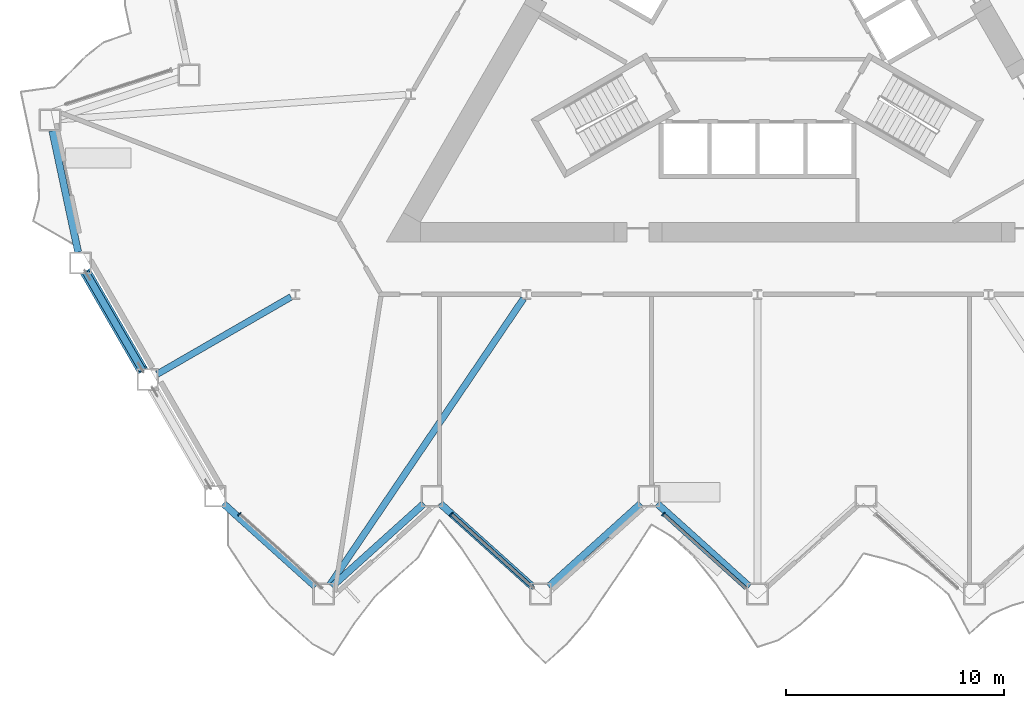
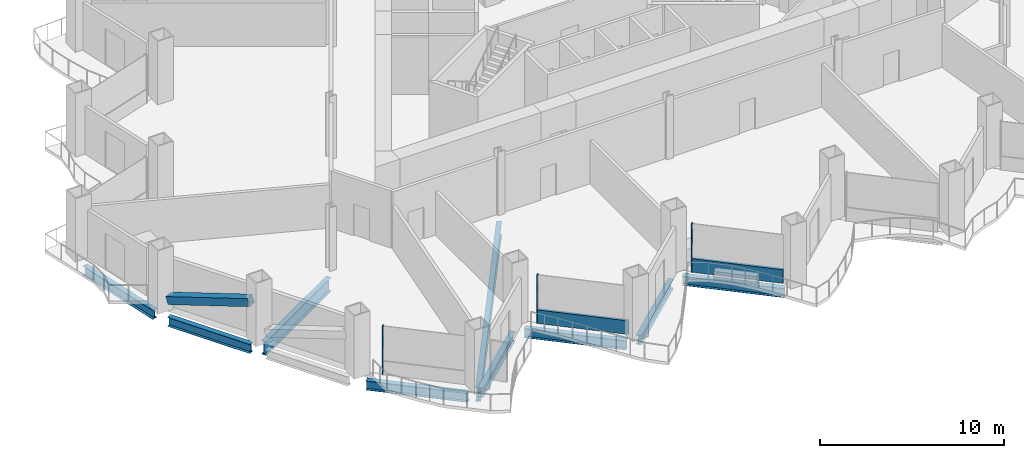
# One storey, part 2 of 21: 9 beams, 6 members, 3 elements without a shape of their own.
"""IFC4 building model written with IfcOpenShell, lengths in metres."""

from ifc_helpers import new_model, si_unit, direction, frame, origin, origin_2d, place, context, subcontext, project, spatial, rectangle, hollow_rectangle, i_section, extrude, material, layer, layer_set, material_profile, profile_set, type_object, element, aggregate, save


model = new_model("IFC4")

# Units and contexts
model_context = context("Model", 3, precision=1e-05, world=origin(), true_north=direction((0.0, 1.0)))
body_context = subcontext(model_context, "Body", "Model", "MODEL_VIEW")
ifc_project = project(units=[si_unit("LENGTHUNIT", "METRE"), si_unit("AREAUNIT", "SQUARE_METRE"), si_unit("VOLUMEUNIT", "CUBIC_METRE"), si_unit("PLANEANGLEUNIT", "RADIAN"), si_unit("MASSUNIT", "GRAM", prefix="KILO")], contexts=[model_context])

# Site, building, storey
site_placement = place(None, origin())
site = spatial("IfcSite", under=ifc_project, at=site_placement, CompositionType="ELEMENT")
building_placement = place(site_placement, origin())
building = spatial("IfcBuilding", under=site, at=building_placement, Name="Cormorant Prow Tower", CompositionType="ELEMENT")
storey_placement = place(building_placement, frame((0.0, 0.0, 42.60009765625)))
storey = spatial("IfcBuildingStorey", under=building, at=storey_placement, Name="L08", CompositionType="ELEMENT", Elevation=42.60009765625)

# Member
ifc_material_1 = material(Name="Structural steel ASTM A500 Gr C", Category="steel")
ifc_material_profile_1 = material_profile(ifc_material_1, hollow_rectangle(XDim=0.508056640625, YDim=0.508056640625, WallThickness=0.014892578125, at=origin_2d()), Name="HSS20x20x5/8")
ifc_profile_set_1 = profile_set([ifc_material_profile_1], Name="Structural steel ASTM A500 Gr C")
member_type_1 = type_object("IfcMemberType", Name="Chamfer brace HSS20x20x5/8", PredefinedType="BRACE", material=ifc_profile_set_1)
member_1_placement = place(storey_placement, frame((-30.74072265625, -11.222900390625, 0.76708984375), z_axis=(0.475875326044, -0.824258984489, 0.306822099191), x_axis=(0.866030326616, 0.499991473309, 0.0)))
element("IfcMember", 1, at=member_1_placement, inside=storey, type_object=member_type_1, Name="Chamfer brace BR1 at WSW00 L08", PredefinedType="BRACE", context=body_context, shape_type="SweptSolid", body=[
    extrude(hollow_rectangle(XDim=0.508056640625, YDim=0.508056640625, WallThickness=0.014892578125, at=origin_2d()), origin(), (0.0, 0.0, 1.0), 5.392578125),
])

# Curtain wall, member
ifc_material_2 = material(Name="Aluminium 6063-T6", Category="aluminium")
ifc_layer = layer(ifc_material_2, 0.199951171875)
ifc_layer_set = layer_set([ifc_layer], Name="Aluminium 6063-T6")
curtain_wall_type = type_object("IfcCurtainWallType", Name="Office unitised curtain wall 200", PredefinedType="NOTDEFINED", material=ifc_layer_set)
curtain_wall_1_placement = place(storey_placement, origin())
curtain_wall_1 = element("IfcCurtainWall", 2, at=curtain_wall_1_placement, inside=storey, type_object=curtain_wall_type, Name="Office curtain wall S00", PredefinedType="NOTDEFINED")
ifc_material_3 = material(Name="Aluminium 6063-T6", Category="aluminium")
ifc_material_profile_2 = material_profile(ifc_material_3, rectangle(XDim=0.199951171875, YDim=0.06005859375, at=origin_2d()), Name="Office mullion 60x200")
ifc_profile_set_2 = profile_set([ifc_material_profile_2], Name="Aluminium 6063-T6")
member_type_2 = type_object("IfcMemberType", Name="Office mullion 60x200", PredefinedType="MULLION", material=ifc_profile_set_2)
member_2_placement = place(storey_placement, frame((-23.718505859375, -22.27783203125, 0.0), z_axis=(0.0, 0.0, 1.0), x_axis=(0.66913057331, 0.743144855234, 0.0)))
member_2 = element("IfcMember", 3, at=member_2_placement, type_object=member_type_2, Name="Office mullion S00", PredefinedType="MULLION", context=body_context, shape_type="SweptSolid", body=[
    extrude(rectangle(XDim=0.199951171875, YDim=0.06005859375, at=origin_2d()), origin(), (0.0, 0.0, 1.0), 3.188720703125),
])
aggregate(curtain_wall_1, [member_2])

curtain_wall_2_placement = place(storey_placement, origin())
curtain_wall_2 = element("IfcCurtainWall", 4, at=curtain_wall_2_placement, inside=storey, type_object=curtain_wall_type, Name="Office curtain wall S02", PredefinedType="NOTDEFINED")
member_3_placement = place(storey_placement, frame((-14.01318359375, -22.27783203125, 0.0), z_axis=(0.0, 0.0, 1.0), x_axis=(0.66913057331, 0.743144855234, 0.0)))
member_3 = element("IfcMember", 5, at=member_3_placement, type_object=member_type_2, Name="Office mullion S02", PredefinedType="MULLION", context=body_context, shape_type="SweptSolid", body=[
    extrude(rectangle(XDim=0.199951171875, YDim=0.06005859375, at=origin_2d()), origin(), (0.0, 0.0, 1.0), 3.188720703125),
])

curtain_wall_3_placement = place(storey_placement, origin())
curtain_wall_3 = element("IfcCurtainWall", 6, at=curtain_wall_3_placement, inside=storey, type_object=curtain_wall_type, Name="Office curtain wall S04", PredefinedType="NOTDEFINED")
member_4_placement = place(storey_placement, frame((-4.307861328125, -22.27783203125, 0.0), z_axis=(0.0, 0.0, 1.0), x_axis=(0.66913057331, 0.743144855234, 0.0)))
member_4 = element("IfcMember", 7, at=member_4_placement, type_object=member_type_2, Name="Office mullion S04", PredefinedType="MULLION", context=body_context, shape_type="SweptSolid", body=[
    extrude(rectangle(XDim=0.199951171875, YDim=0.06005859375, at=origin_2d()), origin(), (0.0, 0.0, 1.0), 3.188720703125),
])

# Member
ifc_material_4 = material(Name="Terracotta", Category="masonry")
ifc_material_profile_3 = material_profile(ifc_material_4, rectangle(XDim=0.159912109375, YDim=0.89990234375, at=origin_2d()), Name="Office terracotta spandrel rail 160x900")
ifc_profile_set_3 = profile_set([ifc_material_profile_3], Name="Terracotta")
member_type_3 = type_object("IfcMemberType", Name="Office terracotta spandrel rail 160x900", PredefinedType="USERDEFINED", material=ifc_profile_set_3)
member_5_placement = place(storey_placement, frame((-13.990966796875, -22.2978515625, 0.449951171875), z_axis=(0.743140700473, -0.669135187612, 0.0), x_axis=(0.669135187612, 0.743140700473, 0.0)))
member_5 = element("IfcMember", 8, at=member_5_placement, type_object=member_type_3, Name="Office spandrel rail S02", ObjectType="TRANSOM", PredefinedType="USERDEFINED", context=body_context, shape_type="SweptSolid", body=[
    extrude(rectangle(XDim=0.159912109375, YDim=0.89990234375, at=origin_2d()), origin(), (0.0, 0.0, 1.0), 5.06396484375),
])

aggregate(curtain_wall_2, [member_3, member_5])

member_6_placement = place(storey_placement, frame((-4.28564453125, -22.2978515625, 0.449951171875), z_axis=(0.743140700473, -0.669135187612, 0.0), x_axis=(0.669135187612, 0.743140700473, 0.0)))
member_6 = element("IfcMember", 9, at=member_6_placement, type_object=member_type_3, Name="Office spandrel rail S04", ObjectType="TRANSOM", PredefinedType="USERDEFINED", context=body_context, shape_type="SweptSolid", body=[
    extrude(rectangle(XDim=0.159912109375, YDim=0.89990234375, at=origin_2d()), origin(), (0.0, 0.0, 1.0), 5.06396484375),
])

aggregate(curtain_wall_3, [member_4, member_6])

# Beams
ifc_material_5 = material(Name="Structural steel ASTM A992 Gr 50", Category="steel")
ifc_material_profile_4 = material_profile(ifc_material_5, i_section(OverallWidth=0.3046875, OverallDepth=0.914794921875, WebThickness=0.0166015625, FlangeThickness=0.02587890625, at=origin_2d()), Name="W36x160")
ifc_profile_set_4 = profile_set([ifc_material_profile_4], Name="Structural steel ASTM A992 Gr 50")
beam_type_1 = type_object("IfcBeamType", Name="Radial floor beam W36x160", PredefinedType="BEAM", material=ifc_profile_set_4)
beam_1_placement = place(storey_placement, frame((-21.358154296875, -12.3310546875, -0.857421875), z_axis=(-0.866014253463, -0.500019312426, 0.0), x_axis=(0.500019312426, -0.866014253463, 0.0)))
element("IfcBeam", 10, at=beam_1_placement, inside=storey, type_object=beam_type_1, Name="Radial floor beam FB1 5 L08", PredefinedType="BEAM", context=body_context, shape_type="SweptSolid", body=[
    extrude(i_section(OverallWidth=0.3046875, OverallDepth=0.914794921875, WebThickness=0.0166015625, FlangeThickness=0.02587890625, at=origin_2d()), origin(), (0.0, 0.0, 1.0), 7.071533203125),
])
beam_2_placement = place(storey_placement, frame((-10.708740234375, -12.4072265625, -0.857421875), z_axis=(-0.560597160775, -0.828088656685, 0.0), x_axis=(0.828088656685, -0.560597160775, 0.0)))
element("IfcBeam", 11, at=beam_2_placement, inside=storey, type_object=beam_type_1, Name="Radial floor beam FB1 6 L08", PredefinedType="BEAM", context=body_context, shape_type="SweptSolid", body=[
    extrude(i_section(OverallWidth=0.3046875, OverallDepth=0.914794921875, WebThickness=0.0166015625, FlangeThickness=0.02587890625, at=origin_2d()), origin(), (0.0, 0.0, 1.0), 15.831787109375),
])
ifc_material_6 = material(Name="Structural steel ASTM A992 Gr 50", Category="steel")
ifc_material_profile_5 = material_profile(ifc_material_6, i_section(OverallWidth=0.32373046875, OverallDepth=0.611083984375, WebThickness=0.0126953125, FlangeThickness=0.01904296875, at=origin_2d()), Name="W24x104")
ifc_profile_set_5 = profile_set([ifc_material_profile_5], Name="Structural steel ASTM A992 Gr 50")
beam_type_2 = type_object("IfcBeamType", Name="Spandrel beam W24x104", PredefinedType="SPANDREL", material=ifc_profile_set_5)
for number, where, z_axis, x_axis, name in (
    (12, (-24.458740234375, -21.79443359375, -0.70556640625), (0.743129630386, -0.669147481833, 0.0), (0.669147481833, 0.743129630386, 0.0), "Spandrel beam SB1 S00-S01 L08"),
    (13, (-19.49267578125, -25.596923828125, -0.70556640625), (0.743129630386, 0.669147481833, 0.0), (-0.669147481833, 0.743129630386, 0.0), "Spandrel beam SB1 S01-S02 L08"),
    (14, (-14.526611328125, -21.79443359375, -0.70556640625), (0.743129630386, -0.669147481833, 0.0), (0.669147481833, 0.743129630386, 0.0), "Spandrel beam SB1 S02-S03 L08"),
    (15, (-9.560546875, -25.596923828125, -0.70556640625), (0.743129630386, 0.669147481833, 0.0), (-0.669147481833, 0.743129630386, 0.0), "Spandrel beam SB1 S03-S04 L08"),
    (16, (-4.594482421875, -21.79443359375, -0.70556640625), (0.743129630386, -0.669147481833, 0.0), (0.669147481833, 0.743129630386, 0.0), "Spandrel beam SB1 S04-S05 L08"),
    (17, (-32.285400390625, -4.726318359375, -0.70556640625), (0.207900376723, -0.97815000555, 0.0), (0.97815000555, 0.207900376723, 0.0), "Spandrel beam SB1 WNW09-WSW00 L08"),
):
    element("IfcBeam", number, at=place(storey_placement, frame(where, z_axis=z_axis, x_axis=x_axis)), inside=storey, type_object=beam_type_2, Name=name, PredefinedType="SPANDREL", context=body_context, shape_type="SweptSolid", body=[
        extrude(i_section(OverallWidth=0.32373046875, OverallDepth=0.611083984375, WebThickness=0.0126953125, FlangeThickness=0.01904296875, at=origin_2d()), origin(), (0.0, 0.0, 1.0), 5.6826171875),
    ])
beam_3_placement = place(storey_placement, frame((-30.75, -11.206787109375, -0.70556640625), z_axis=(0.49998408811, -0.866034590324, 0.0), x_axis=(0.866034590324, 0.49998408811, 0.0)))
element("IfcBeam", 18, at=beam_3_placement, inside=storey, type_object=beam_type_2, Name="Spandrel beam SB1 WSW00-WSW01 L08", PredefinedType="SPANDREL", context=body_context, shape_type="SweptSolid", body=[
    extrude(i_section(OverallWidth=0.32373046875, OverallDepth=0.611083984375, WebThickness=0.0126953125, FlangeThickness=0.01904296875, at=origin_2d()), origin(), (0.0, 0.0, 1.0), 5.169677734375),
])

save(model, "model.ifc")
